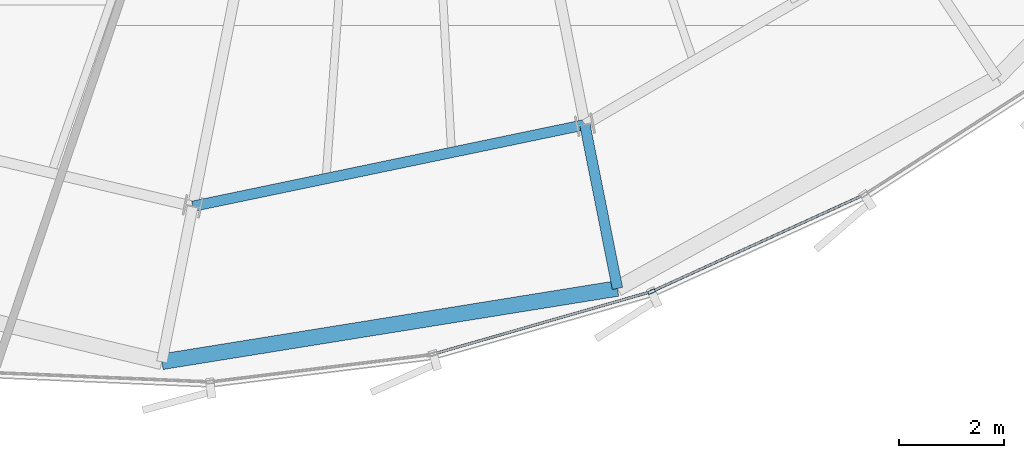
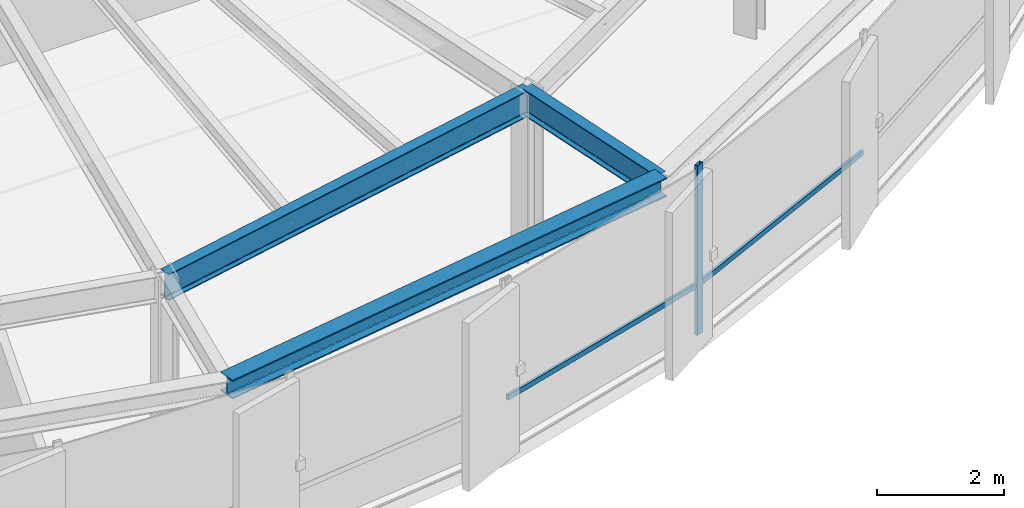
# One storey, part 7 of 34: 3 beams, 3 members, 1 element without a shape of its own.
"""IFC4 building model written with IfcOpenShell, lengths in metres."""

from ifc_helpers import new_model, si_unit, direction, frame, origin, origin_2d, place, context, subcontext, project, spatial, hollow_rectangle, i_section, extrude, source, transform, mapped, material, layer, layer_set, material_profile, profile_set, type_object, element, aggregate, save


model = new_model("IFC4")

# Units and contexts
model_context = context("Model", 3, precision=1e-05, world=origin(), true_north=direction((0.0, 1.0)))
body_context = subcontext(model_context, "Body", "Model", "MODEL_VIEW")
ifc_project = project(units=[si_unit("LENGTHUNIT", "METRE"), si_unit("AREAUNIT", "SQUARE_METRE"), si_unit("VOLUMEUNIT", "CUBIC_METRE"), si_unit("PLANEANGLEUNIT", "RADIAN"), si_unit("MASSUNIT", "GRAM", prefix="KILO"), si_unit("THERMODYNAMICTEMPERATUREUNIT", "KELVIN")], contexts=[model_context])

# Site, building, storey
site_placement = place(None, origin())
site = spatial("IfcSite", under=ifc_project, at=site_placement, CompositionType="ELEMENT")
building_placement = place(site_placement, origin())
building = spatial("IfcBuilding", under=site, at=building_placement, Name="Kethvar Cultural Tower", CompositionType="ELEMENT")
storey_placement = place(building_placement, frame((0.0, 0.0, 183.39990234375)))
storey = spatial("IfcBuildingStorey", under=building, at=storey_placement, Name="L47", CompositionType="ELEMENT", Elevation=183.39990234375)

# Beams
ifc_material_1 = material(Name="Steel S355J2", Category="steel")
ifc_material_profile_1 = material_profile(ifc_material_1, i_section(OverallWidth=0.199951171875, OverallDepth=0.5, WebThickness=0.01025390625, FlangeThickness=0.01611328125, FilletRadius=0.02099609375, at=origin_2d()), Name="Steel S355J2 — IPE500")
ifc_profile_set_1 = profile_set([ifc_material_profile_1], Name="Steel S355J2 — IPE500")
beam_type_1 = type_object("IfcBeamType", Name="BM-IPE500", PredefinedType="BEAM", material=ifc_profile_set_1)
shared_shape_1 = source(origin(), body_context, "Body", "SweptSolid", [
    extrude(i_section(OverallWidth=0.199951171875, OverallDepth=0.5, WebThickness=0.01025390625, FlangeThickness=0.01611328125, FilletRadius=0.02099609375, at=origin_2d()), origin(), (0.0, 0.0, 1.0), 7.6435546875),
])
beam_1_placement = place(storey_placement, frame((42.903564453125, 8.2109375, 3.008056640625), z_axis=(0.979016278161, 0.203782057834, 0.0), x_axis=(-0.203782057834, 0.979016278161, 0.0)))
element("IfcBeam", 1, at=beam_1_placement, inside=storey, type_object=beam_type_1, Name="L47 Column Ring Tie Beam CR-12", PredefinedType="BEAM", context=body_context, shape_type="MappedRepresentation", body=[
    mapped(shared_shape_1, transform((0.0, 0.0, 0.0), scale=1.0)),
])
shared_shape_2 = source(origin(), body_context, "Body", "SweptSolid", [
    extrude(i_section(OverallWidth=0.199951171875, OverallDepth=0.5, WebThickness=0.01025390625, FlangeThickness=0.01611328125, FilletRadius=0.02099609375, at=origin_2d()), origin(), (0.0, 0.0, 1.0), 3.186279296875),
])
beam_2_placement = place(storey_placement, frame((50.38671875, 9.7685546875, 3.008056640625), z_axis=(0.195084550525, -0.980786428406, 0.0), x_axis=(0.980786428406, 0.195084550525, 0.0)))
element("IfcBeam", 2, at=beam_2_placement, inside=storey, type_object=beam_type_1, Name="L47 Perimeter Cantilever Beam RC-13", PredefinedType="BEAM", context=body_context, shape_type="MappedRepresentation", body=[
    mapped(shared_shape_2, transform((0.0, 0.0, 0.0), scale=1.0)),
])
ifc_material_profile_2 = material_profile(ifc_material_1, i_section(OverallWidth=0.300048828125, OverallDepth=0.360107421875, WebThickness=0.012451171875, FlangeThickness=0.0224609375, FilletRadius=0.027099609375, at=origin_2d()), Name="Steel S355J2 — HEB360")
ifc_profile_set_2 = profile_set([ifc_material_profile_2], Name="Steel S355J2 — HEB360")
beam_type_2 = type_object("IfcBeamType", Name="BM-SP360", PredefinedType="SPANDREL", material=ifc_profile_set_2)
shared_shape_3 = source(origin(), body_context, "Body", "SweptSolid", [
    extrude(i_section(OverallWidth=0.300048828125, OverallDepth=0.360107421875, WebThickness=0.012451171875, FlangeThickness=0.0224609375, FilletRadius=0.027099609375, at=origin_2d()), origin(), (0.0, 0.0, 1.0), 8.806396484375),
])
beam_3_placement = place(storey_placement, frame((42.313720703125, 5.2451171875, 3.078125), z_axis=(0.98731089633, 0.1587992254, 0.0), x_axis=(-0.1587992254, 0.98731089633, 0.0)))
element("IfcBeam", 3, at=beam_3_placement, inside=storey, type_object=beam_type_2, Name="L47 Perimeter Spandrel Beam SP-12", PredefinedType="SPANDREL", context=body_context, shape_type="MappedRepresentation", body=[
    mapped(shared_shape_3, transform((0.0, 0.0, 0.0), scale=1.0)),
])

# Curtain wall, members
ifc_material_2 = material(Name="Aluminium 6063-T6", Category="aluminium")
ifc_layer = layer(ifc_material_2, 0.179931640625, Name="Aluminium 6063-T6", Category="aluminium")
ifc_layer_set = layer_set([ifc_layer], Name="Aluminium 6063-T6 (180 mm)")
curtain_wall_type = type_object("IfcCurtainWallType", Name="CW-SYS-04-Z34", PredefinedType="NOTDEFINED", material=ifc_layer_set)
curtain_wall_placement = place(storey_placement, origin())
curtain_wall = element("IfcCurtainWall", 4, at=curtain_wall_placement, inside=storey, type_object=curtain_wall_type, Name="L47 Curtain Wall Run 05", PredefinedType="NOTDEFINED")
ifc_material_profile_3 = material_profile(ifc_material_2, hollow_rectangle(XDim=0.06005859375, YDim=0.139892578125, WallThickness=0.0048828125, at=origin_2d()), Name="Aluminium 6063-T6 — RHS140x60x5")
ifc_profile_set_3 = profile_set([ifc_material_profile_3], Name="Aluminium 6063-T6 — RHS140x60x5")
member_type_1 = type_object("IfcMemberType", Name="CW-SYS-04-Z34-MUL", PredefinedType="MULLION", material=ifc_profile_set_3)
shared_shape_4 = source(origin(), body_context, "Body", "SweptSolid", [
    extrude(hollow_rectangle(XDim=0.06005859375, YDim=0.139892578125, WallThickness=0.0048828125, at=origin_2d()), origin(), (0.0, 0.0, 1.0), 3.260009765625),
])
member_1_placement = place(storey_placement, frame((51.659912109375, 6.583251953125, 0.0), z_axis=(0.0, 0.0, 1.0), x_axis=(-0.414867935035, 0.90988163872, 0.0)))
member_1 = element("IfcMember", 5, at=member_1_placement, type_object=member_type_1, Name="CW-L47-R05 Mullion 2", PredefinedType="MULLION", context=body_context, shape_type="MappedRepresentation", body=[
    mapped(shared_shape_4, transform((0.0, 0.0, 0.0), scale=1.0)),
])
ifc_material_profile_4 = material_profile(ifc_material_2, hollow_rectangle(XDim=0.050048828125, YDim=0.10009765625, WallThickness=0.00390625, at=origin_2d()), Name="Aluminium 6063-T6 — RHS100x50x4")
ifc_profile_set_4 = profile_set([ifc_material_profile_4], Name="Aluminium 6063-T6 — RHS100x50x4")
member_type_2 = type_object("IfcMemberType", Name="CW-SYS-04-Z34-TRN", PredefinedType="USERDEFINED", material=ifc_profile_set_4)
shared_shape_5 = source(origin(), body_context, "Body", "SweptSolid", [
    extrude(hollow_rectangle(XDim=0.050048828125, YDim=0.10009765625, WallThickness=0.00390625, at=origin_2d()), origin(), (0.0, 0.0, 1.0), 4.302734375),
])
member_2_placement = place(storey_placement, frame((47.4970703125, 5.392333984375, 0.9501953125), z_axis=(0.961341741194, 0.275358051704, 0.0), x_axis=(-0.275358051704, 0.961341741194, 0.0)))
member_2 = element("IfcMember", 6, at=member_2_placement, type_object=member_type_2, Name="CW-L47-R05 Transom 1", ObjectType="TRANSOM", PredefinedType="USERDEFINED", context=body_context, shape_type="MappedRepresentation", body=[
    mapped(shared_shape_5, transform((0.0, 0.0, 0.0), scale=1.0)),
])
shared_shape_6 = source(origin(), body_context, "Body", "SweptSolid", [
    extrude(hollow_rectangle(XDim=0.050048828125, YDim=0.10009765625, WallThickness=0.00390625, at=origin_2d()), origin(), (0.0, 0.0, 1.0), 4.38720703125),
])
member_3_placement = place(storey_placement, frame((51.69921875, 6.601318359375, 0.9501953125), z_axis=(0.909889441474, 0.414850821735, 0.0), x_axis=(-0.414850821735, 0.909889441474, 0.0)))
member_3 = element("IfcMember", 7, at=member_3_placement, type_object=member_type_2, Name="CW-L47-R05 Transom 2", ObjectType="TRANSOM", PredefinedType="USERDEFINED", context=body_context, shape_type="MappedRepresentation", body=[
    mapped(shared_shape_6, transform((0.0, 0.0, 0.0), scale=1.0)),
])
aggregate(curtain_wall, [member_1, member_2, member_3])

save(model, "model.ifc")
